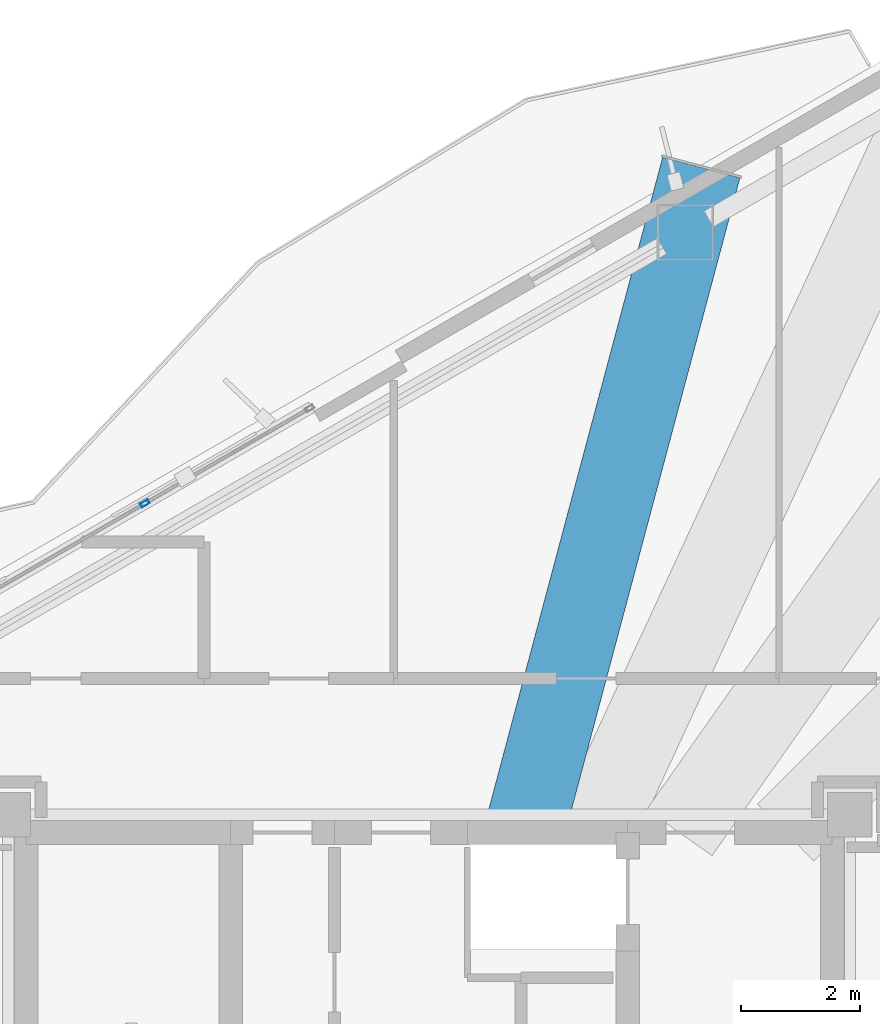
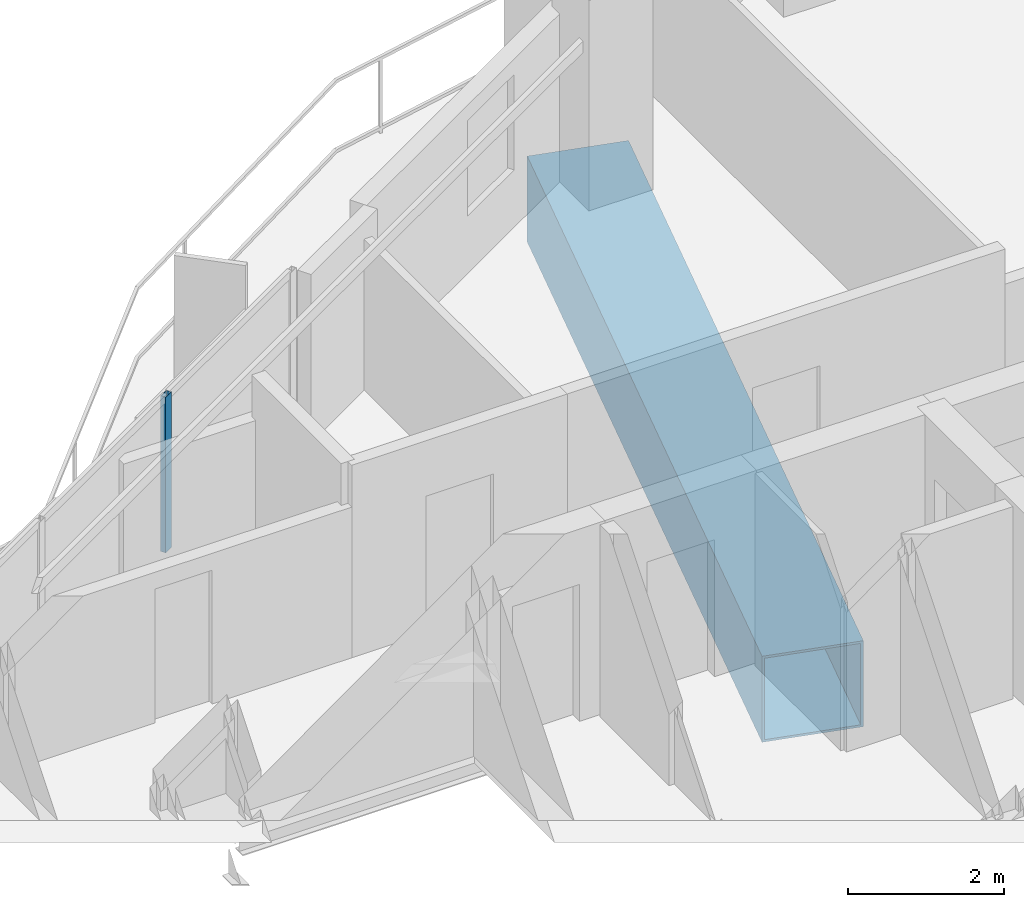
# One storey, part 10 of 22: 1 beam, 1 member, 1 element without a shape of its own.
"""IFC4 building model written with IfcOpenShell, lengths in metres."""

from ifc_helpers import new_model, si_unit, direction, frame, origin, origin_2d, place, context, subcontext, project, spatial, hollow_rectangle, extrude, material, layer, layer_set, material_profile, profile_set, type_object, element, aggregate, save


model = new_model("IFC4")

# Units and contexts
model_context = context("Model", 3, precision=1e-05, world=origin(), true_north=direction((0.0, 1.0)))
body_context = subcontext(model_context, "Body", "Model", "MODEL_VIEW")
ifc_project = project(units=[si_unit("LENGTHUNIT", "METRE"), si_unit("AREAUNIT", "SQUARE_METRE"), si_unit("VOLUMEUNIT", "CUBIC_METRE"), si_unit("PLANEANGLEUNIT", "RADIAN"), si_unit("MASSUNIT", "GRAM", prefix="KILO")], contexts=[model_context])

# Site, building, storey
site_placement = place(None, origin())
site = spatial("IfcSite", under=ifc_project, at=site_placement, CompositionType="ELEMENT")
building_placement = place(site_placement, origin())
building = spatial("IfcBuilding", under=site, at=building_placement, Name="Mersakhor Tower and Convention Hall", CompositionType="ELEMENT")
storey_placement = place(building_placement, frame((0.0, 0.0, 167.39990234375)))
storey = spatial("IfcBuildingStorey", under=building, at=storey_placement, Name="L46", CompositionType="ELEMENT", Elevation=167.39990234375)

# Beam
ifc_material_1 = material(Name="Steel S460", Category="steel")
ifc_material_profile_1 = material_profile(ifc_material_1, hollow_rectangle(XDim=1.35009765625, YDim=1.35009765625, WallThickness=0.035888671875, at=origin_2d()), Name="SHS 1350x1350x36")
ifc_profile_set_1 = profile_set([ifc_material_profile_1], Name="Steel S460")
beam_type = type_object("IfcBeamType", Name="BM-TR-BOX1350", PredefinedType="BEAM", material=ifc_profile_set_1)
beam_placement = place(storey_placement, frame((33.592529296875, 43.972900390625, -0.90478515625), z_axis=(-0.257654801014, -0.966237032779, 0.0), x_axis=(0.966237032779, -0.257654801014, 0.0)))
element("IfcBeam", 1, at=beam_placement, inside=storey, type_object=beam_type, Name="L46 Taper Step Transfer Girder STG-03", PredefinedType="BEAM", context=body_context, shape_type="SweptSolid", body=[
    extrude(hollow_rectangle(XDim=1.35009765625, YDim=1.35009765625, WallThickness=0.035888671875, at=origin_2d()), origin(), (0.0, 0.0, 1.0), 11.614990234375),
])

# Curtain wall, member
ifc_material_2 = material(Name="Dark solar low-E aluminium curtain wall", Category="aluminium")
ifc_layer = layer(ifc_material_2, 0.169921875)
ifc_layer_set = layer_set([ifc_layer], Name="Dark solar low-E aluminium curtain wall")
curtain_wall_type = type_object("IfcCurtainWallType", Name="CW-SYS-02", PredefinedType="USERDEFINED", material=ifc_layer_set)
curtain_wall_placement = place(storey_placement, origin())
curtain_wall = element("IfcCurtainWall", 2, at=curtain_wall_placement, inside=storey, type_object=curtain_wall_type, Name="L46 Dark-Glass Curtain Wall F1-B2", ObjectType="CURTAIN WALL", PredefinedType="USERDEFINED")
ifc_material_3 = material(Name="Anodised aluminium EN AW-6063 T6", Category="aluminium")
ifc_material_profile_2 = material_profile(ifc_material_3, hollow_rectangle(XDim=0.074951171875, YDim=0.14990234375, WallThickness=0.00634765625, at=origin_2d()), Name="RHS 150x75x6.3")
ifc_profile_set_2 = profile_set([ifc_material_profile_2], Name="Anodised aluminium EN AW-6063 T6")
member_type = type_object("IfcMemberType", Name="CWM-150x75", PredefinedType="MULLION", material=ifc_profile_set_2)
member_placement = place(storey_placement, frame((24.204345703125, 38.303955078125, 0.2001953125), z_axis=(0.0, 0.0, 1.0), x_axis=(-0.499998484116, 0.866026278978, 0.0)))
member = element("IfcMember", 3, at=member_placement, type_object=member_type, Name="CW-02 mullion 3", PredefinedType="MULLION", context=body_context, shape_type="SweptSolid", body=[
    extrude(hollow_rectangle(XDim=0.074951171875, YDim=0.14990234375, WallThickness=0.00634765625, at=origin_2d()), origin(), (0.0, 0.0, 1.0), 2.43994140625),
])
aggregate(curtain_wall, [member])

save(model, "model.ifc")
